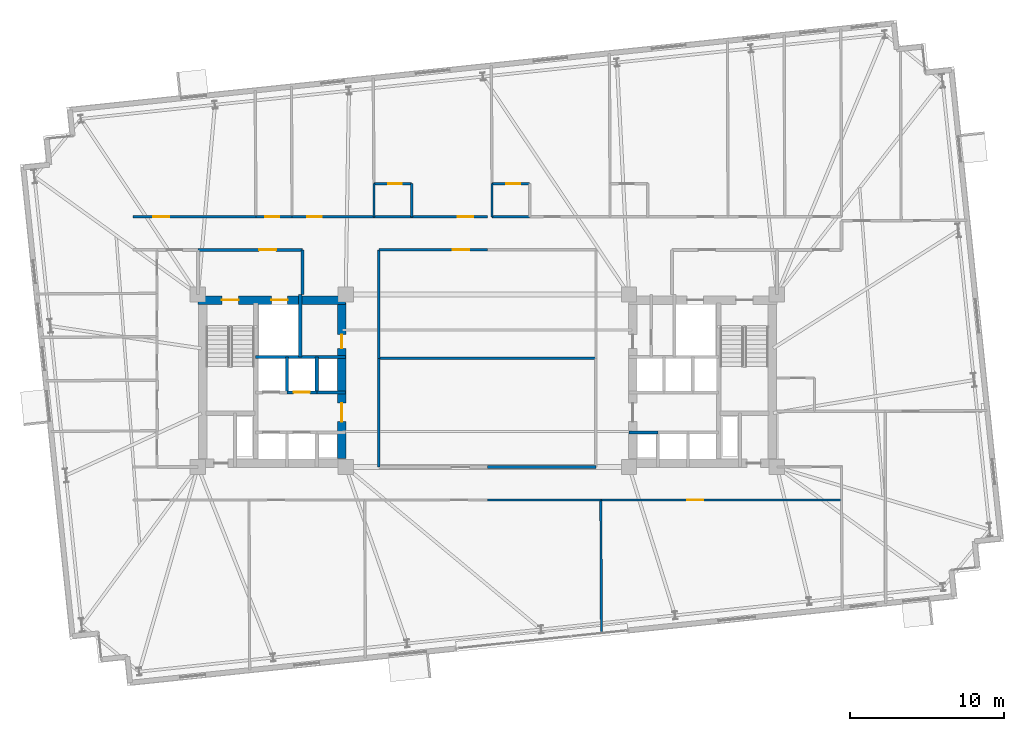
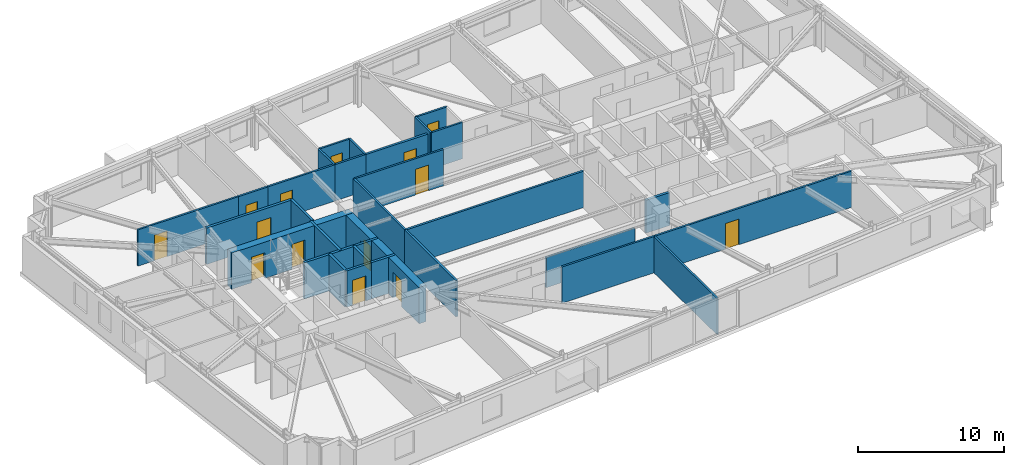
# One storey, part 17 of 23: 30 walls, 14 doors, 14 openings.
"""IFC4 building model written with IfcOpenShell, lengths in metres."""

from ifc_helpers import new_model, si_unit, direction, frame, frame_2d, origin, place, context, subcontext, project, spatial, rectangle, extrude, material, layer, layer_set, type_object, element, fill, save


model = new_model("IFC4")

# Units and contexts
model_context = context("Model", 3, precision=1e-05, world=origin(), true_north=direction((0.0, 1.0)))
body_context = subcontext(model_context, "Body", "Model", "MODEL_VIEW")
ifc_project = project(units=[si_unit("LENGTHUNIT", "METRE"), si_unit("AREAUNIT", "SQUARE_METRE"), si_unit("VOLUMEUNIT", "CUBIC_METRE"), si_unit("PLANEANGLEUNIT", "RADIAN"), si_unit("MASSUNIT", "GRAM", prefix="KILO")], contexts=[model_context])

# Site, building, storey
site_placement = place(None, origin())
site = spatial("IfcSite", under=ifc_project, at=site_placement, CompositionType="ELEMENT")
building_placement = place(site_placement, origin())
building = spatial("IfcBuilding", under=site, at=building_placement, Name="Qobustan Lattice House", CompositionType="ELEMENT")
storey_placement = place(building_placement, frame((0.0, 0.0, 95.75)))
storey = spatial("IfcBuildingStorey", under=building, at=storey_placement, Name="L26", CompositionType="ELEMENT", Elevation=95.75)

# Wall, openings, doors
ifc_material_1 = material(Name="Concrete C60/75", Category="concrete")
ifc_layer_1 = layer(ifc_material_1, 0.56005859375)
ifc_layer_set_1 = layer_set([ifc_layer_1], Name="Concrete C60/75")
wall_type_1 = type_object("IfcWallType", Name="WAL-CORE-600", PredefinedType="SHEAR", material=ifc_layer_set_1)
wall_1_placement = place(storey_placement, frame((-18.800048828125, 5.239990234375, 0.0), z_axis=(0.0, 0.0, 1.0), x_axis=(1.0, 0.0, 0.0)))
wall_1 = element("IfcWall", 1, at=wall_1_placement, inside=storey, type_object=wall_type_1, Name="L26 split-core shear wall CW-N", PredefinedType="SHEAR", context=body_context, shape_type="SweptSolid", body=[
    extrude(rectangle(XDim=9.60009765625, YDim=0.56005859375, at=frame_2d((4.800048828125, 0.0))), origin(), (0.0, 0.0, 1.0), 3.044921875),
])
opening_1_placement = place(wall_1_placement, frame((1.550048828125, 0.0, 0.0)))
opening_1 = element("IfcOpeningElement", 2, at=opening_1_placement, cuts=wall_1, Name="Opening SD-01", PredefinedType="OPENING", context=body_context, shape_type="SweptSolid", body=[
    extrude(rectangle(XDim=1.10009765625, YDim=2.14990234375, at=frame_2d((0.550048828125, 1.074951171875))), frame((0.0, 0.2900390625, 0.0), z_axis=(0.0, -1.0, 0.0), x_axis=(1.0, 0.0, 0.0)), (0.0, 0.0, 1.0), 0.580078125),
])
opening_2_placement = place(wall_1_placement, frame((4.77490234375, 0.0, 0.0)))
opening_2 = element("IfcOpeningElement", 3, at=opening_2_placement, cuts=wall_1, Name="Opening LD-01", PredefinedType="OPENING", context=body_context, shape_type="SweptSolid", body=[
    extrude(rectangle(XDim=1.050048828125, YDim=2.10009765625, at=frame_2d((0.52490234375, 1.050048828125))), frame((0.0, 0.2900390625, 0.0), z_axis=(0.0, -1.0, 0.0), x_axis=(1.0, 0.0, 0.0)), (0.0, 0.0, 1.0), 0.580078125),
])
ifc_material_2 = material(Name="Persian walnut timber and steel frame door", Category="steel")
door_type_1 = type_object("IfcDoorType", Name="DOR-LIFT-LD-1050x2100", OperationType="NOTDEFINED", PredefinedType="DOOR", material=ifc_material_2)
door_1_placement = place(opening_2_placement, origin())
door_1 = element("IfcDoor", 4, at=door_1_placement, inside=storey, type_object=door_type_1, Name="L26 firefighting lift FF-W landing door", OperationType="DOUBLE_DOOR_SLIDING", OverallHeight=2.10009765625, OverallWidth=1.050048828125, PredefinedType="DOOR", context=body_context, shape_type="SweptSolid", body=[
    extrude(rectangle(XDim=1.050048828125, YDim=2.10009765625, at=frame_2d((0.52490234375, 1.050048828125))), frame((0.0, 0.02490234375, 0.0), z_axis=(0.0, -1.0, 0.0), x_axis=(1.0, 0.0, 0.0)), (0.0, 0.0, 1.0), 0.050048828125),
])
fill(opening_2, door_1)
ifc_material_3 = material(Name="Persian walnut timber and steel frame door", Category="steel")
door_type_2 = type_object("IfcDoorType", Name="DOR-STAIR-FD-1100x2150", OperationType="NOTDEFINED", PredefinedType="DOOR", material=ifc_material_3)
door_2_placement = place(opening_1_placement, origin())
door_2 = element("IfcDoor", 5, at=door_2_placement, inside=storey, type_object=door_type_2, Name="L26 exit stair ST-W1 fire door", OperationType="SINGLE_SWING_LEFT", OverallHeight=2.14990234375, OverallWidth=1.10009765625, PredefinedType="DOOR", context=body_context, shape_type="SweptSolid", body=[
    extrude(rectangle(XDim=1.10009765625, YDim=2.14990234375, at=frame_2d((0.550048828125, 1.074951171875))), frame((0.0, 0.02490234375, 0.0), z_axis=(0.0, -1.0, 0.0), x_axis=(1.0, 0.0, 0.0)), (0.0, 0.0, 1.0), 0.050048828125),
])
fill(opening_1, door_2)

wall_2_placement = place(storey_placement, frame((-9.449951171875, -5.050048828125, 0.0), z_axis=(0.0, 0.0, 1.0), x_axis=(0.0, 1.0, 0.0)))
wall_2 = element("IfcWall", 6, at=wall_2_placement, inside=storey, type_object=wall_type_1, Name="L26 split-core shear wall CW-E", PredefinedType="SHEAR", context=body_context, shape_type="SweptSolid", body=[
    extrude(rectangle(XDim=10.10009765625, YDim=0.56005859375, at=frame_2d((5.050048828125, 0.0))), origin(), (0.0, 0.0, 1.0), 3.044921875),
])
opening_3_placement = place(wall_2_placement, frame((7.14990234375, 0.0, 0.0)))
opening_3 = element("IfcOpeningElement", 7, at=opening_3_placement, cuts=wall_2, Name="Opening RD-01", PredefinedType="OPENING", context=body_context, shape_type="SweptSolid", body=[
    extrude(rectangle(XDim=0.89990234375, YDim=2.10009765625, at=frame_2d((0.449951171875, 1.050048828125))), frame((0.0, 0.2900390625, 0.0), z_axis=(0.0, -1.0, 0.0), x_axis=(1.0, 0.0, 0.0)), (0.0, 0.0, 1.0), 0.580078125),
])
opening_4_placement = place(wall_2_placement, frame((2.39990234375, 0.0, 0.0)))
opening_4 = element("IfcOpeningElement", 8, at=opening_4_placement, cuts=wall_2, Name="Opening FD-01", PredefinedType="OPENING", context=body_context, shape_type="SweptSolid", body=[
    extrude(rectangle(XDim=1.199951171875, YDim=2.14990234375, at=frame_2d((0.60009765625, 1.074951171875))), frame((0.0, 0.2900390625, 0.0), z_axis=(0.0, -1.0, 0.0), x_axis=(1.0, 0.0, 0.0)), (0.0, 0.0, 1.0), 0.580078125),
])
ifc_material_4 = material(Name="Persian walnut timber and steel frame door", Category="steel")
door_type_3 = type_object("IfcDoorType", Name="DOR-LOBBY-FD-1200x2150", OperationType="NOTDEFINED", PredefinedType="DOOR", material=ifc_material_4)
door_3_placement = place(opening_4_placement, origin())
door_3 = element("IfcDoor", 9, at=door_3_placement, inside=storey, type_object=door_type_3, Name="L26 West passenger lift lobby fire door", OperationType="SINGLE_SWING_LEFT", OverallHeight=2.14990234375, OverallWidth=1.199951171875, PredefinedType="DOOR", context=body_context, shape_type="SweptSolid", body=[
    extrude(rectangle(XDim=1.199951171875, YDim=2.14990234375, at=frame_2d((0.60009765625, 1.074951171875))), frame((0.0, 0.02490234375, 0.0), z_axis=(0.0, -1.0, 0.0), x_axis=(1.0, 0.0, 0.0)), (0.0, 0.0, 1.0), 0.050048828125),
])
fill(opening_4, door_3)
ifc_material_5 = material(Name="Persian walnut timber and steel frame door", Category="steel")
door_type_4 = type_object("IfcDoorType", Name="DOR-RISER-FD-900x2100", OperationType="NOTDEFINED", PredefinedType="DOOR", material=ifc_material_5)
door_4_placement = place(opening_3_placement, origin())
door_4 = element("IfcDoor", 10, at=door_4_placement, inside=storey, type_object=door_type_4, Name="L26 Floor tea pantry fire door", OperationType="SINGLE_SWING_RIGHT", OverallHeight=2.10009765625, OverallWidth=0.89990234375, PredefinedType="DOOR", context=body_context, shape_type="SweptSolid", body=[
    extrude(rectangle(XDim=0.89990234375, YDim=2.10009765625, at=frame_2d((0.449951171875, 1.050048828125))), frame((0.0, 0.02490234375, 0.0), z_axis=(0.0, -1.0, 0.0), x_axis=(1.0, 0.0, 0.0)), (0.0, 0.0, 1.0), 0.050048828125),
])
fill(opening_3, door_4)

# Wall, opening, door
ifc_material_6 = material(Name="Gypsum fireboard acoustic partition", Category="gypsum")
ifc_layer_2 = layer(ifc_material_6, 0.179931640625)
ifc_layer_set_2 = layer_set([ifc_layer_2], Name="Gypsum fireboard acoustic partition")
wall_type_2 = type_object("IfcWallType", Name="WAL-FIRE-180", PredefinedType="PARTITIONING", material=ifc_layer_set_2)
wall_3_placement = place(storey_placement, frame((-4.9169921875, 10.64990234375, 0.0), z_axis=(0.0, 0.0, 1.0), x_axis=(1.0, 0.0, 0.0)))
wall_3 = element("IfcWall", 11, at=wall_3_placement, inside=storey, type_object=wall_type_2, Name="L26 interior partition 41", PredefinedType="PARTITIONING", context=body_context, shape_type="SweptSolid", body=[
    extrude(rectangle(XDim=4.9169921875, YDim=0.179931640625, at=frame_2d((2.45849609375, 0.0))), origin(), (0.0, 0.0, 1.0), 3.044921875),
])
opening_5_placement = place(wall_3_placement, frame((2.992431640625, 0.0, 0.0)))
opening_5 = element("IfcOpeningElement", 12, at=opening_5_placement, cuts=wall_3, Name="Opening FD-02", PredefinedType="OPENING", context=body_context, shape_type="SweptSolid", body=[
    extrude(rectangle(XDim=1.0, YDim=2.14990234375, at=frame_2d((0.5, 1.074951171875))), frame((0.0, 0.099853515625, 0.0), z_axis=(0.0, -1.0, 0.0), x_axis=(1.0, 0.0, 0.0)), (0.0, 0.0, 1.0), 0.199951171875),
])
ifc_material_7 = material(Name="Persian walnut timber and steel frame door", Category="steel")
door_type_5 = type_object("IfcDoorType", Name="DOR-UNIT-FD-1000x2150", OperationType="NOTDEFINED", PredefinedType="DOOR", material=ifc_material_7)
door_5_placement = place(opening_5_placement, origin())
door_5 = element("IfcDoor", 13, at=door_5_placement, inside=storey, type_object=door_type_5, Name="L26 North-west floor corridor to Kitchenette and studio apartment L26-N3 door", OperationType="SINGLE_SWING_RIGHT", OverallHeight=2.14990234375, OverallWidth=1.0, PredefinedType="DOOR", context=body_context, shape_type="SweptSolid", body=[
    extrude(rectangle(XDim=1.0, YDim=2.14990234375, at=frame_2d((0.5, 1.074951171875))), frame((0.0, 0.02490234375, 0.0), z_axis=(0.0, -1.0, 0.0), x_axis=(1.0, 0.0, 0.0)), (0.0, 0.0, 1.0), 0.050048828125),
])
fill(opening_5, door_5)

ifc_material_8 = material(Name="Acoustic twin-stud gypsum partition", Category="gypsum")
ifc_layer_3 = layer(ifc_material_8, 0.14990234375)
ifc_layer_set_3 = layer_set([ifc_layer_3], Name="Acoustic twin-stud gypsum partition")
wall_type_3 = type_object("IfcWallType", Name="WAL-PART-150", PredefinedType="PARTITIONING", material=ifc_layer_set_3)
wall_4_placement = place(storey_placement, frame((-23.0, 10.64990234375, 0.0), z_axis=(0.0, 0.0, 1.0), x_axis=(1.0, 0.0, 0.0)))
wall_4 = element("IfcWall", 14, at=wall_4_placement, inside=storey, type_object=wall_type_3, Name="L26 interior partition 38", PredefinedType="PARTITIONING", context=body_context, shape_type="SweptSolid", body=[
    extrude(rectangle(XDim=7.967041015625, YDim=0.14990234375, at=frame_2d((3.9833984375, 0.0))), origin(), (0.0, 0.0, 1.0), 3.044921875),
])
opening_6_placement = place(wall_4_placement, frame((1.299560546875, 0.0, 0.0)))
opening_6 = element("IfcOpeningElement", 15, at=opening_6_placement, cuts=wall_4, Name="Opening ID-02", PredefinedType="OPENING", context=body_context, shape_type="SweptSolid", body=[
    extrude(rectangle(XDim=1.050048828125, YDim=2.14990234375, at=frame_2d((0.52490234375, 1.074951171875))), frame((0.0, 0.0849609375, 0.0), z_axis=(0.0, -1.0, 0.0), x_axis=(1.0, 0.0, 0.0)), (0.0, 0.0, 1.0), 0.169921875),
])
ifc_material_9 = material(Name="Persian walnut timber and steel frame door", Category="steel")
door_type_6 = type_object("IfcDoorType", Name="DOR-STUDY-1050x2150", OperationType="NOTDEFINED", PredefinedType="DOOR", material=ifc_material_9)
door_6_placement = place(opening_6_placement, origin())
door_6 = element("IfcDoor", 16, at=door_6_placement, inside=storey, type_object=door_type_6, Name="L26 North-west floor corridor to Focus study room N1 door", OperationType="SINGLE_SWING_LEFT", OverallHeight=2.14990234375, OverallWidth=1.050048828125, PredefinedType="DOOR", context=body_context, shape_type="SweptSolid", body=[
    extrude(rectangle(XDim=1.050048828125, YDim=2.14990234375, at=frame_2d((0.52490234375, 1.074951171875))), frame((0.0, 0.02490234375, 0.0), z_axis=(0.0, -1.0, 0.0), x_axis=(1.0, 0.0, 0.0)), (0.0, 0.0, 1.0), 0.050048828125),
])
fill(opening_6, door_6)

wall_5_placement = place(storey_placement, frame((-12.68310546875, 10.64990234375, 0.0), z_axis=(0.0, 0.0, 1.0), x_axis=(1.0, 0.0, 0.0)))
wall_5 = element("IfcWall", 17, at=wall_5_placement, inside=storey, type_object=wall_type_3, Name="L26 interior partition 40", PredefinedType="PARTITIONING", context=body_context, shape_type="SweptSolid", body=[
    extrude(rectangle(XDim=5.316162109375, YDim=0.14990234375, at=frame_2d((2.658203125, 0.0))), origin(), (0.0, 0.0, 1.0), 3.044921875),
])
opening_7_placement = place(wall_5_placement, frame((0.980712890625, 0.0, 0.0)))
opening_7 = element("IfcOpeningElement", 18, at=opening_7_placement, cuts=wall_5, Name="Opening ID-01", PredefinedType="OPENING", context=body_context, shape_type="SweptSolid", body=[
    extrude(rectangle(XDim=0.949951171875, YDim=2.10009765625, at=frame_2d((0.47509765625, 1.050048828125))), frame((0.0, 0.0849609375, 0.0), z_axis=(0.0, -1.0, 0.0), x_axis=(1.0, 0.0, 0.0)), (0.0, 0.0, 1.0), 0.169921875),
])
ifc_material_10 = material(Name="Persian walnut timber and steel frame door", Category="steel")
door_type_7 = type_object("IfcDoorType", Name="DOR-ROOM-950x2100", OperationType="NOTDEFINED", PredefinedType="DOOR", material=ifc_material_10)
door_7_placement = place(opening_7_placement, origin())
door_7 = element("IfcDoor", 19, at=door_7_placement, inside=storey, type_object=door_type_7, Name="L26 North-west floor corridor to Laundry utility room door", OperationType="SINGLE_SWING_LEFT", OverallHeight=2.10009765625, OverallWidth=0.949951171875, PredefinedType="DOOR", context=body_context, shape_type="SweptSolid", body=[
    extrude(rectangle(XDim=0.949951171875, YDim=2.10009765625, at=frame_2d((0.47509765625, 1.050048828125))), frame((0.0, 0.02490234375, 0.0), z_axis=(0.0, -1.0, 0.0), x_axis=(1.0, 0.0, 0.0)), (0.0, 0.0, 1.0), 0.050048828125),
])
fill(opening_7, door_7)

wall_6_placement = place(storey_placement, frame((0.0, 8.5, 0.0), z_axis=(0.0, 0.0, 1.0), x_axis=(-1.0, 0.0, 0.0)))
wall_6 = element("IfcWall", 20, at=wall_6_placement, inside=storey, type_object=wall_type_3, Name="L26 interior partition 43", PredefinedType="PARTITIONING", context=body_context, shape_type="SweptSolid", body=[
    extrude(rectangle(XDim=7.050048828125, YDim=0.14990234375, at=frame_2d((3.52490234375, 0.0))), origin(), (0.0, 0.0, 1.0), 3.044921875),
])
opening_8_placement = place(wall_6_placement, frame((1.18505859375, 0.0, 0.0)))
opening_8 = element("IfcOpeningElement", 21, at=opening_8_placement, cuts=wall_6, Name="Opening ID-02", PredefinedType="OPENING", context=body_context, shape_type="SweptSolid", body=[
    extrude(rectangle(XDim=1.050048828125, YDim=2.14990234375, at=frame_2d((0.52490234375, 1.074951171875))), frame((0.0, 0.0849609375, 0.0), z_axis=(0.0, -1.0, 0.0), x_axis=(1.0, 0.0, 0.0)), (0.0, 0.0, 1.0), 0.169921875),
])
door_8_placement = place(opening_8_placement, origin())
door_8 = element("IfcDoor", 22, at=door_8_placement, inside=storey, type_object=door_type_6, Name="L26 North-west floor corridor to Central collaborative study room door", OperationType="SINGLE_SWING_LEFT", OverallHeight=2.14990234375, OverallWidth=1.050048828125, PredefinedType="DOOR", context=body_context, shape_type="SweptSolid", body=[
    extrude(rectangle(XDim=1.050048828125, YDim=2.14990234375, at=frame_2d((0.52490234375, 1.074951171875))), frame((0.0, 0.02490234375, 0.0), z_axis=(0.0, -1.0, 0.0), x_axis=(1.0, 0.0, 0.0)), (0.0, 0.0, 1.0), 0.050048828125),
])
fill(opening_8, door_8)

# Wall
wall_7_placement = place(storey_placement, frame((7.366943359375, -7.75, 0.0), z_axis=(0.0, 0.0, 1.0), x_axis=(-1.0, 0.0, 0.0)))
element("IfcWall", 23, at=wall_7_placement, inside=storey, type_object=wall_type_3, Name="L26 interior partition 61", PredefinedType="PARTITIONING", context=body_context, shape_type="SweptSolid", body=[
    extrude(rectangle(XDim=7.366943359375, YDim=0.14990234375, at=frame_2d((3.68359375, 0.0))), origin(), (0.0, 0.0, 1.0), 3.044921875),
])

# Wall, opening, door
wall_8_placement = place(storey_placement, frame((23.0, -7.75, 0.0), z_axis=(0.0, 0.0, 1.0), x_axis=(-1.0, 0.0, 0.0)))
wall_8 = element("IfcWall", 24, at=wall_8_placement, inside=storey, type_object=wall_type_3, Name="L26 interior partition 62", PredefinedType="PARTITIONING", context=body_context, shape_type="SweptSolid", body=[
    extrude(rectangle(XDim=15.633056640625, YDim=0.14990234375, at=frame_2d((7.81640625, 0.0))), origin(), (0.0, 0.0, 1.0), 3.044921875),
])
opening_9_placement = place(wall_8_placement, frame((8.969482421875, 0.0, 0.0)))
opening_9 = element("IfcOpeningElement", 25, at=opening_9_placement, cuts=wall_8, Name="Opening ID-02", PredefinedType="OPENING", context=body_context, shape_type="SweptSolid", body=[
    extrude(rectangle(XDim=1.050048828125, YDim=2.14990234375, at=frame_2d((0.52490234375, 1.074951171875))), frame((0.0, 0.0849609375, 0.0), z_axis=(0.0, -1.0, 0.0), x_axis=(1.0, 0.0, 0.0)), (0.0, 0.0, 1.0), 0.169921875),
])
door_9_placement = place(opening_9_placement, origin())
door_9 = element("IfcDoor", 26, at=door_9_placement, inside=storey, type_object=door_type_6, Name="L26 South-east floor corridor to Walnut iwan sky lounge S3 door", OperationType="SINGLE_SWING_RIGHT", OverallHeight=2.14990234375, OverallWidth=1.050048828125, PredefinedType="DOOR", context=body_context, shape_type="SweptSolid", body=[
    extrude(rectangle(XDim=1.050048828125, YDim=2.14990234375, at=frame_2d((0.52490234375, 1.074951171875))), frame((0.0, 0.02490234375, 0.0), z_axis=(0.0, -1.0, 0.0), x_axis=(1.0, 0.0, 0.0)), (0.0, 0.0, 1.0), 0.050048828125),
])
fill(opening_9, door_9)

# Walls
wall_9_placement = place(storey_placement, frame((-7.050048828125, 8.5, 0.0), z_axis=(0.0, 0.0, 1.0), x_axis=(0.0, -1.0, 0.0)))
element("IfcWall", 27, at=wall_9_placement, inside=storey, type_object=wall_type_3, Name="L26 interior partition 65", PredefinedType="PARTITIONING", context=body_context, shape_type="SweptSolid", body=[
    extrude(rectangle(XDim=7.050048828125, YDim=0.14990234375, at=frame_2d((3.52490234375, 0.0))), origin(), (0.0, 0.0, 1.0), 3.044921875),
])
wall_10_placement = place(storey_placement, frame((7.366943359375, -7.75, 0.0), z_axis=(0.0, 0.0, 1.0), x_axis=(0.005084967311, -0.99998707147, 0.0)))
element("IfcWall", 28, at=wall_10_placement, inside=storey, type_object=wall_type_3, Name="L26 interior partition 106", PredefinedType="PARTITIONING", context=body_context, shape_type="SweptSolid", body=[
    extrude(rectangle(XDim=8.64208984375, YDim=0.14990234375, at=frame_2d((4.321044921875, 0.0))), origin(), (0.0, 0.0, 1.0), 3.044921875),
])
ifc_material_11 = material(Name="High-mass acoustic twin-stud partition", Category="gypsum")
ifc_layer_4 = layer(ifc_material_11, 0.1650390625)
ifc_layer_set_4 = layer_set([ifc_layer_4], Name="High-mass acoustic twin-stud partition")
wall_type_4 = type_object("IfcWallType", Name="WAL-PART-165", PredefinedType="PARTITIONING", material=ifc_layer_set_4)
wall_11_placement = place(storey_placement, frame((0.0, -5.60009765625, 0.0), z_axis=(0.0, 0.0, 1.0), x_axis=(1.0, 0.0, 0.0)))
element("IfcWall", 29, at=wall_11_placement, inside=storey, type_object=wall_type_4, Name="L26 interior partition 63", PredefinedType="PARTITIONING", context=body_context, shape_type="SweptSolid", body=[
    extrude(rectangle(XDim=7.050048828125, YDim=0.1650390625, at=frame_2d((3.52490234375, 0.0))), origin(), (0.0, 0.0, 1.0), 2.530029296875),
])
wall_12_placement = place(storey_placement, frame((-7.050048828125, 1.449951171875, 0.0), z_axis=(0.0, 0.0, 1.0), x_axis=(0.0, -1.0, 0.0)))
element("IfcWall", 30, at=wall_12_placement, inside=storey, type_object=wall_type_4, Name="L26 interior partition 64", PredefinedType="PARTITIONING", context=body_context, shape_type="SweptSolid", body=[
    extrude(rectangle(XDim=7.050048828125, YDim=0.1650390625, at=frame_2d((3.52490234375, 0.0))), origin(), (0.0, 0.0, 1.0), 3.044921875),
])
wall_13_placement = place(storey_placement, frame((-7.050048828125, 1.449951171875, 0.0), z_axis=(0.0, 0.0, 1.0), x_axis=(1.0, 0.0, 0.0)))
element("IfcWall", 31, at=wall_13_placement, inside=storey, type_object=wall_type_4, Name="L26 interior partition 107", PredefinedType="PARTITIONING", context=body_context, shape_type="SweptSolid", body=[
    extrude(rectangle(XDim=14.10009765625, YDim=0.1650390625, at=frame_2d((7.050048828125, 0.0))), origin(), (0.0, 0.0, 1.0), 3.044921875),
])

# Wall, opening, door
ifc_material_12 = material(Name="Two-hour gypsum fireboard acoustic partition", Category="gypsum")
ifc_layer_5 = layer(ifc_material_12, 0.199951171875)
ifc_layer_set_5 = layer_set([ifc_layer_5], Name="Two-hour gypsum fireboard acoustic partition")
wall_type_5 = type_object("IfcWallType", Name="WAL-PROT-200", PredefinedType="PARTITIONING", material=ifc_layer_set_5)
wall_14_placement = place(storey_placement, frame((-12.0, 8.5, 0.0), z_axis=(0.0, 0.0, 1.0), x_axis=(-1.0, 0.0, 0.0)))
wall_14 = element("IfcWall", 32, at=wall_14_placement, inside=storey, type_object=wall_type_5, Name="L26 interior partition 3", PredefinedType="PARTITIONING", context=body_context, shape_type="SweptSolid", body=[
    extrude(rectangle(XDim=6.800048828125, YDim=0.199951171875, at=frame_2d((3.39990234375, 0.0))), origin(), (0.0, 0.0, 1.0), 3.044921875),
])
opening_10_placement = place(wall_14_placement, frame((1.715087890625, 0.0, 0.0)))
opening_10 = element("IfcOpeningElement", 33, at=opening_10_placement, cuts=wall_14, Name="Opening SD-01", PredefinedType="OPENING", context=body_context, shape_type="SweptSolid", body=[
    extrude(rectangle(XDim=1.10009765625, YDim=2.14990234375, at=frame_2d((0.550048828125, 1.074951171875))), frame((0.0, 0.10986328125, 0.0), z_axis=(0.0, -1.0, 0.0), x_axis=(1.0, 0.0, 0.0)), (0.0, 0.0, 1.0), 0.219970703125),
])
door_10_placement = place(opening_10_placement, origin())
door_10 = element("IfcDoor", 34, at=door_10_placement, inside=storey, type_object=door_type_2, Name="L26 West firefighting lift lobby to North-west floor corridor door", OperationType="SINGLE_SWING_LEFT", OverallHeight=2.14990234375, OverallWidth=1.10009765625, PredefinedType="DOOR", context=body_context, shape_type="SweptSolid", body=[
    extrude(rectangle(XDim=1.10009765625, YDim=2.14990234375, at=frame_2d((0.550048828125, 1.074951171875))), frame((0.0, 0.02490234375, 0.0), z_axis=(0.0, -1.0, 0.0), x_axis=(1.0, 0.0, 0.0)), (0.0, 0.0, 1.0), 0.050048828125),
])
fill(opening_10, door_10)

# Walls
wall_15_placement = place(storey_placement, frame((-12.0, 5.60009765625, 0.0), z_axis=(0.0, 0.0, 1.0), x_axis=(0.0, 1.0, 0.0)))
element("IfcWall", 35, at=wall_15_placement, inside=storey, type_object=wall_type_5, Name="L26 interior partition 4", PredefinedType="PARTITIONING", context=body_context, shape_type="SweptSolid", body=[
    extrude(rectangle(XDim=2.89990234375, YDim=0.199951171875, at=frame_2d((1.449951171875, 0.0))), origin(), (0.0, 0.0, 1.0), 3.044921875),
])
ifc_material_13 = material(Name="Concrete C40/50", Category="concrete")
ifc_layer_6 = layer(ifc_material_13, 0.199951171875)
ifc_layer_set_6 = layer_set([ifc_layer_6], Name="Concrete C40/50")
wall_type_6 = type_object("IfcWallType", Name="WAL-SHAFT-200", PredefinedType="PARTITIONING", material=ifc_layer_set_6)
wall_16_placement = place(storey_placement, frame((-12.14990234375, 1.550048828125, 0.0), z_axis=(0.0, 0.0, 1.0), x_axis=(0.0, 1.0, 0.0)))
element("IfcWall", 36, at=wall_16_placement, inside=storey, type_object=wall_type_6, Name="L26 interior partition 2", PredefinedType="PARTITIONING", context=body_context, shape_type="SweptSolid", body=[
    extrude(rectangle(XDim=4.050048828125, YDim=0.199951171875, at=frame_2d((2.02490234375, 0.0))), origin(), (0.0, 0.0, 1.0), 3.044921875),
])

# Wall, opening, door
wall_17_placement = place(storey_placement, frame((-11.080078125, -0.75, 0.0), z_axis=(0.0, 0.0, 1.0), x_axis=(-1.0, 0.0, 0.0)))
wall_17 = element("IfcWall", 37, at=wall_17_placement, inside=storey, type_object=wall_type_6, Name="L26 interior partition 11", PredefinedType="PARTITIONING", context=body_context, shape_type="SweptSolid", body=[
    extrude(rectangle(XDim=1.93994140625, YDim=0.199951171875, at=frame_2d((0.969970703125, 0.0))), origin(), (0.0, 0.0, 1.0), 3.044921875),
])
opening_11_placement = place(wall_17_placement, frame((0.445068359375, 0.0, 0.0)))
opening_11 = element("IfcOpeningElement", 38, at=opening_11_placement, cuts=wall_17, Name="Opening LD-01", PredefinedType="OPENING", context=body_context, shape_type="SweptSolid", body=[
    extrude(rectangle(XDim=1.050048828125, YDim=2.10009765625, at=frame_2d((0.52490234375, 1.050048828125))), frame((0.0, 0.10986328125, 0.0), z_axis=(0.0, -1.0, 0.0), x_axis=(1.0, 0.0, 0.0)), (0.0, 0.0, 1.0), 0.219970703125),
])
door_11_placement = place(opening_11_placement, origin())
door_11 = element("IfcDoor", 39, at=door_11_placement, inside=storey, type_object=door_type_1, Name="L26 lift landing door", OperationType="DOUBLE_DOOR_SLIDING", OverallHeight=2.10009765625, OverallWidth=1.050048828125, PredefinedType="DOOR", context=body_context, shape_type="SweptSolid", body=[
    extrude(rectangle(XDim=1.050048828125, YDim=2.10009765625, at=frame_2d((0.52490234375, 1.050048828125))), frame((0.0, 0.02490234375, 0.0), z_axis=(0.0, -1.0, 0.0), x_axis=(1.0, 0.0, 0.0)), (0.0, 0.0, 1.0), 0.050048828125),
])
fill(opening_11, door_11)

# Walls
wall_18_placement = place(storey_placement, frame((-9.199951171875, -0.75, 0.0), z_axis=(0.0, 0.0, 1.0), x_axis=(-1.0, 0.0, 0.0)))
element("IfcWall", 40, at=wall_18_placement, inside=storey, type_object=wall_type_6, Name="L26 interior partition 12", PredefinedType="PARTITIONING", context=body_context, shape_type="SweptSolid", body=[
    extrude(rectangle(XDim=1.880126953125, YDim=0.199951171875, at=frame_2d((0.93994140625, 0.0))), origin(), (0.0, 0.0, 1.0), 3.044921875),
])
for number, where, z_axis, x_axis, name in (
    (41, (-13.02001953125, -0.75, 0.0), (0.0, 0.0, 1.0), (0.0, 1.0, 0.0), "L26 interior partition 16"),
    (42, (-11.080078125, -0.75, 0.0), (0.0, 0.0, 1.0), (0.0, 1.0, 0.0), "L26 interior partition 17"),
):
    element("IfcWall", number, at=place(storey_placement, frame(where, z_axis=z_axis, x_axis=x_axis)), inside=storey, type_object=wall_type_6, Name=name, PredefinedType="PARTITIONING", context=body_context, shape_type="SweptSolid", body=[
        extrude(rectangle(XDim=2.300048828125, YDim=0.199951171875, at=frame_2d((1.14990234375, 0.0))), origin(), (0.0, 0.0, 1.0), 3.044921875),
    ])
wall_19_placement = place(storey_placement, frame((9.199951171875, -3.35009765625, 0.0), z_axis=(0.0, 0.0, 1.0), x_axis=(1.0, 0.0, 0.0)))
element("IfcWall", 43, at=wall_19_placement, inside=storey, type_object=wall_type_6, Name="L26 interior partition 25", PredefinedType="PARTITIONING", context=body_context, shape_type="SweptSolid", body=[
    extrude(rectangle(XDim=1.880126953125, YDim=0.199951171875, at=frame_2d((0.93994140625, 0.0))), origin(), (0.0, 0.0, 1.0), 2.760009765625),
])
wall_20_placement = place(storey_placement, frame((-15.050048828125, 1.550048828125, 0.0), z_axis=(0.0, 0.0, 1.0), x_axis=(1.0, 0.0, 0.0)))
element("IfcWall", 44, at=wall_20_placement, inside=storey, type_object=wall_type_6, Name="L26 interior partition 108", PredefinedType="PARTITIONING", context=body_context, shape_type="SweptSolid", body=[
    extrude(rectangle(XDim=5.85009765625, YDim=0.199951171875, at=frame_2d((2.925048828125, 0.0))), origin(), (0.0, 0.0, 1.0), 3.044921875),
])

# Wall, opening, door
ifc_material_14 = material(Name="Moisture-resistant acoustic plumbing wall", Category="gypsum")
ifc_layer_7 = layer(ifc_material_14, 0.14990234375)
ifc_layer_set_7 = layer_set([ifc_layer_7], Name="Moisture-resistant acoustic plumbing wall")
wall_type_7 = type_object("IfcWallType", Name="WAL-WET-150", PredefinedType="PLUMBINGWALL", material=ifc_layer_set_7)
wall_21_placement = place(storey_placement, frame((-15.032958984375, 10.64990234375, 0.0), z_axis=(0.0, 0.0, 1.0), x_axis=(1.0, 0.0, 0.0)))
wall_21 = element("IfcWall", 45, at=wall_21_placement, inside=storey, type_object=wall_type_7, Name="L26 interior partition 39", PredefinedType="PLUMBINGWALL", context=body_context, shape_type="SweptSolid", body=[
    extrude(rectangle(XDim=2.349853515625, YDim=0.14990234375, at=frame_2d((1.1748046875, 0.0))), origin(), (0.0, 0.0, 1.0), 3.044921875),
])
opening_12_placement = place(wall_21_placement, frame((0.6162109375, 0.0, 0.0)))
opening_12 = element("IfcOpeningElement", 46, at=opening_12_placement, cuts=wall_21, Name="Opening WD-01", PredefinedType="OPENING", context=body_context, shape_type="SweptSolid", body=[
    extrude(rectangle(XDim=0.89990234375, YDim=2.10009765625, at=frame_2d((0.449951171875, 1.050048828125))), frame((0.0, 0.0849609375, 0.0), z_axis=(0.0, -1.0, 0.0), x_axis=(1.0, 0.0, 0.0)), (0.0, 0.0, 1.0), 0.169921875),
])
ifc_material_15 = material(Name="Persian walnut timber and steel frame door", Category="steel")
door_type_8 = type_object("IfcDoorType", Name="DOR-WET-900x2100", OperationType="NOTDEFINED", PredefinedType="DOOR", material=ifc_material_15)
door_12_placement = place(opening_12_placement, origin())
door_12 = element("IfcDoor", 47, at=door_12_placement, inside=storey, type_object=door_type_8, Name="L26 North-west floor corridor to Accessible WC door", OperationType="SINGLE_SWING_RIGHT", OverallHeight=2.10009765625, OverallWidth=0.89990234375, PredefinedType="DOOR", context=body_context, shape_type="SweptSolid", body=[
    extrude(rectangle(XDim=0.89990234375, YDim=2.10009765625, at=frame_2d((0.449951171875, 1.050048828125))), frame((0.0, 0.02490234375, 0.0), z_axis=(0.0, -1.0, 0.0), x_axis=(1.0, 0.0, 0.0)), (0.0, 0.0, 1.0), 0.050048828125),
])
fill(opening_12, door_12)

# Walls
for number, where, z_axis, x_axis, name in (
    (48, (-7.366943359375, 10.64990234375, 0.0), (0.0, 0.0, 1.0), (1.0, 0.0, 0.0), "L26 interior partition 42"),
    (49, (0.300048828125, 10.64990234375, 0.0), (0.0, 0.0, 1.0), (1.0, 0.0, 0.0), "L26 interior partition 47"),
):
    element("IfcWall", number, at=place(storey_placement, frame(where, z_axis=z_axis, x_axis=x_axis)), inside=storey, type_object=wall_type_7, Name=name, PredefinedType="PLUMBINGWALL", context=body_context, shape_type="SweptSolid", body=[
        extrude(rectangle(XDim=2.449951171875, YDim=0.14990234375, at=frame_2d((1.22509765625, 0.0))), origin(), (0.0, 0.0, 1.0), 3.044921875),
    ])
wall_22_placement = place(storey_placement, frame((-7.366943359375, 12.800048828125, 0.0), z_axis=(0.0, 0.0, 1.0), x_axis=(0.0, -1.0, 0.0)))
element("IfcWall", 50, at=wall_22_placement, inside=storey, type_object=wall_type_7, Name="L26 interior partition 91", PredefinedType="PLUMBINGWALL", context=body_context, shape_type="SweptSolid", body=[
    extrude(rectangle(XDim=2.150146484375, YDim=0.14990234375, at=frame_2d((1.0751953125, 0.0))), origin(), (0.0, 0.0, 1.0), 3.044921875),
])

# Wall, opening, door
wall_23_placement = place(storey_placement, frame((-4.9169921875, 12.800048828125, 0.0), z_axis=(0.0, 0.0, 1.0), x_axis=(-1.0, 0.0, 0.0)))
wall_23 = element("IfcWall", 51, at=wall_23_placement, inside=storey, type_object=wall_type_7, Name="L26 interior partition 92", PredefinedType="PLUMBINGWALL", context=body_context, shape_type="SweptSolid", body=[
    extrude(rectangle(XDim=2.449951171875, YDim=0.14990234375, at=frame_2d((1.22509765625, 0.0))), origin(), (0.0, 0.0, 1.0), 3.044921875),
])
opening_13_placement = place(wall_23_placement, frame((0.62890625, 0.0, 0.0)))
opening_13 = element("IfcOpeningElement", 52, at=opening_13_placement, cuts=wall_23, Name="Opening WD-01", PredefinedType="OPENING", context=body_context, shape_type="SweptSolid", body=[
    extrude(rectangle(XDim=0.89990234375, YDim=2.10009765625, at=frame_2d((0.449951171875, 1.050048828125))), frame((0.0, 0.0849609375, 0.0), z_axis=(0.0, -1.0, 0.0), x_axis=(1.0, 0.0, 0.0)), (0.0, 0.0, 1.0), 0.169921875),
])
door_13_placement = place(opening_13_placement, origin())
door_13 = element("IfcDoor", 53, at=door_13_placement, inside=storey, type_object=door_type_8, Name="L26 Kitchenette and studio apartment L26-N3 to En-suite bathroom L26-N3 door", OperationType="SINGLE_SWING_RIGHT", OverallHeight=2.10009765625, OverallWidth=0.89990234375, PredefinedType="DOOR", context=body_context, shape_type="SweptSolid", body=[
    extrude(rectangle(XDim=0.89990234375, YDim=2.10009765625, at=frame_2d((0.449951171875, 1.050048828125))), frame((0.0, 0.02490234375, 0.0), z_axis=(0.0, -1.0, 0.0), x_axis=(1.0, 0.0, 0.0)), (0.0, 0.0, 1.0), 0.050048828125),
])
fill(opening_13, door_13)

# Walls
for number, where, z_axis, x_axis, name in (
    (54, (-4.9169921875, 10.64990234375, 0.0), (0.0, 0.0, 1.0), (0.0, 1.0, 0.0), "L26 interior partition 93"),
    (55, (0.300048828125, 12.800048828125, 0.0), (0.0, 0.0, 1.0), (0.0, -1.0, 0.0), "L26 interior partition 95"),
):
    element("IfcWall", number, at=place(storey_placement, frame(where, z_axis=z_axis, x_axis=x_axis)), inside=storey, type_object=wall_type_7, Name=name, PredefinedType="PLUMBINGWALL", context=body_context, shape_type="SweptSolid", body=[
        extrude(rectangle(XDim=2.150146484375, YDim=0.14990234375, at=frame_2d((1.0751953125, 0.0))), origin(), (0.0, 0.0, 1.0), 3.044921875),
    ])

# Wall, opening, door
wall_24_placement = place(storey_placement, frame((2.75, 12.800048828125, 0.0), z_axis=(0.0, 0.0, 1.0), x_axis=(-1.0, 0.0, 0.0)))
wall_24 = element("IfcWall", 56, at=wall_24_placement, inside=storey, type_object=wall_type_7, Name="L26 interior partition 96", PredefinedType="PLUMBINGWALL", context=body_context, shape_type="SweptSolid", body=[
    extrude(rectangle(XDim=2.449951171875, YDim=0.14990234375, at=frame_2d((1.22509765625, 0.0))), origin(), (0.0, 0.0, 1.0), 3.044921875),
])
opening_14_placement = place(wall_24_placement, frame((0.62890625, 0.0, 0.0)))
opening_14 = element("IfcOpeningElement", 57, at=opening_14_placement, cuts=wall_24, Name="Opening WD-01", PredefinedType="OPENING", context=body_context, shape_type="SweptSolid", body=[
    extrude(rectangle(XDim=0.89990234375, YDim=2.10009765625, at=frame_2d((0.449951171875, 1.050048828125))), frame((0.0, 0.0849609375, 0.0), z_axis=(0.0, -1.0, 0.0), x_axis=(1.0, 0.0, 0.0)), (0.0, 0.0, 1.0), 0.169921875),
])
door_14_placement = place(opening_14_placement, origin())
door_14 = element("IfcDoor", 58, at=door_14_placement, inside=storey, type_object=door_type_8, Name="L26 Kitchenette and studio apartment L26-N4 to En-suite bathroom L26-N4 door", OperationType="SINGLE_SWING_LEFT", OverallHeight=2.10009765625, OverallWidth=0.89990234375, PredefinedType="DOOR", context=body_context, shape_type="SweptSolid", body=[
    extrude(rectangle(XDim=0.89990234375, YDim=2.10009765625, at=frame_2d((0.449951171875, 1.050048828125))), frame((0.0, 0.02490234375, 0.0), z_axis=(0.0, -1.0, 0.0), x_axis=(1.0, 0.0, 0.0)), (0.0, 0.0, 1.0), 0.050048828125),
])
fill(opening_14, door_14)

save(model, "model.ifc")
